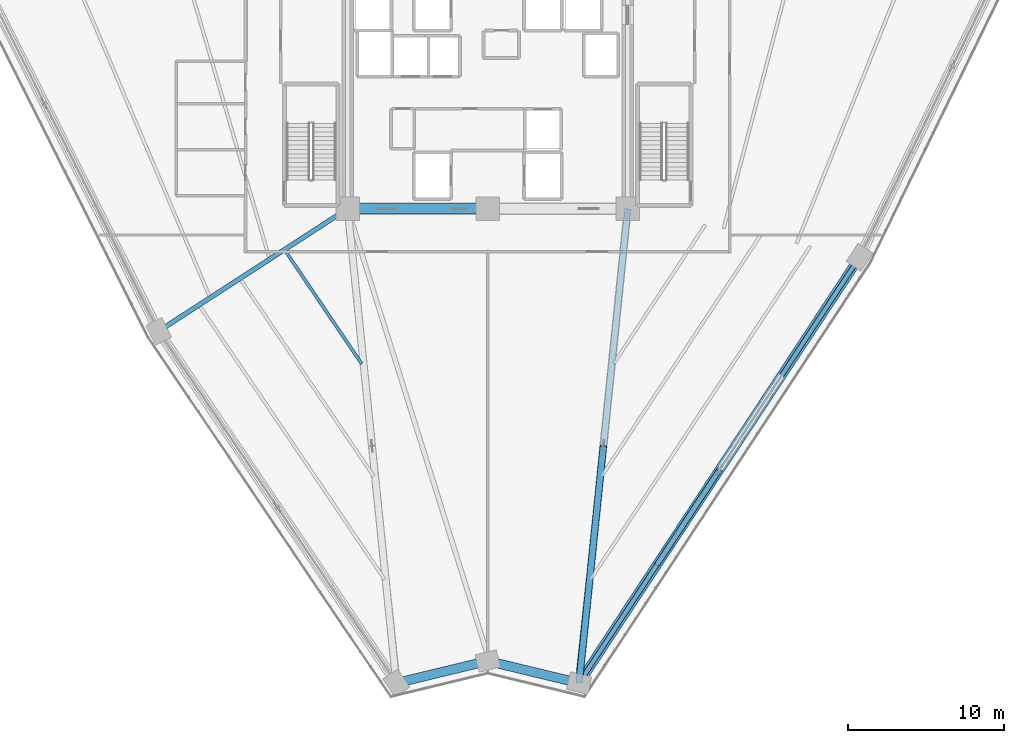
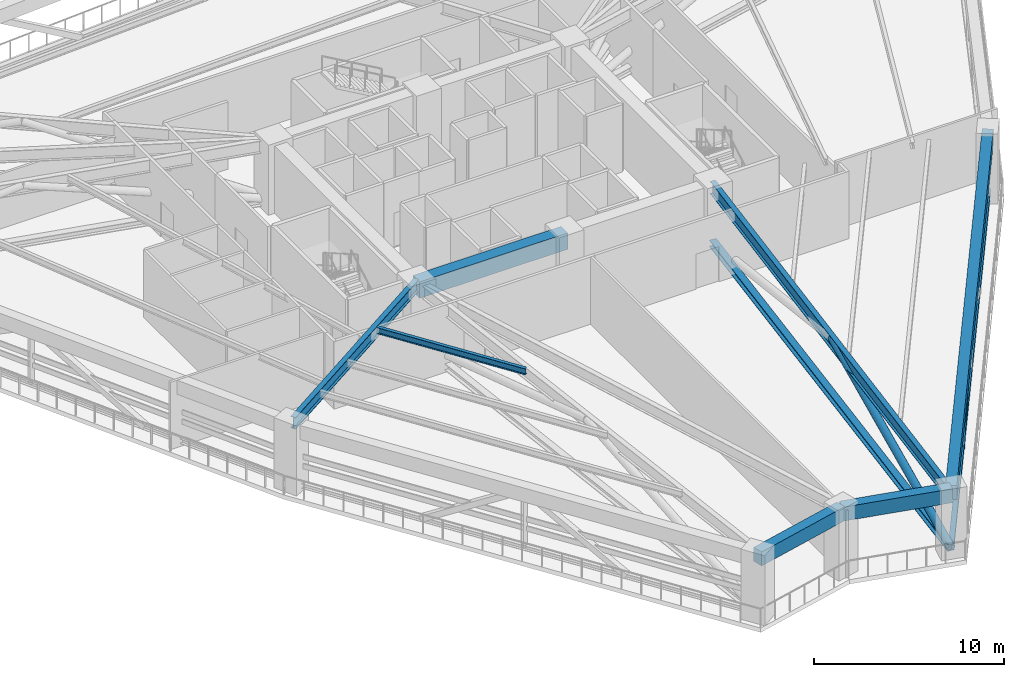
# One storey, part 3 of 23: 7 beams, 4 members.
"""IFC4 building model written with IfcOpenShell, lengths in metres."""

from ifc_helpers import new_model, si_unit, direction, frame, origin, origin_2d, place, context, subcontext, project, spatial, rectangle, hollow_rectangle, hollow_circle, i_section, extrude, source, transform, mapped, material, material_profile, profile_set, type_object, element, save


model = new_model("IFC4")

# Units and contexts
model_context = context("Model", 3, precision=1e-05, world=origin(), true_north=direction((0.0, 1.0)))
body_context = subcontext(model_context, "Body", "Model", "MODEL_VIEW")
ifc_project = project(units=[si_unit("LENGTHUNIT", "METRE"), si_unit("AREAUNIT", "SQUARE_METRE"), si_unit("VOLUMEUNIT", "CUBIC_METRE"), si_unit("PLANEANGLEUNIT", "RADIAN"), si_unit("MASSUNIT", "GRAM", prefix="KILO")], contexts=[model_context])

# Site, building, storey
site_placement = place(None, origin())
site = spatial("IfcSite", under=ifc_project, at=site_placement, CompositionType="ELEMENT")
building_placement = place(site_placement, origin())
building = spatial("IfcBuilding", under=site, at=building_placement, Name="Liaohun Quay Tower", CompositionType="ELEMENT")
storey_placement = place(building_placement, frame((0.0, 0.0, 139.5)))
storey = spatial("IfcBuildingStorey", under=building, at=storey_placement, Name="L36", CompositionType="ELEMENT", Elevation=139.5)

# Beams
ifc_material_1 = material(Name="Concrete C60", Category="concrete")
ifc_material_profile_1 = material_profile(ifc_material_1, rectangle(XDim=0.699951171875, YDim=1.050048828125, at=origin_2d()), Name="RC700x1050")
ifc_profile_set_1 = profile_set([ifc_material_profile_1], Name="Concrete C60")
beam_type_1 = type_object("IfcBeamType", Name="BM-CPL-1", PredefinedType="LINTEL", material=ifc_profile_set_1)
shared_shape_1 = source(origin(), body_context, "Body", "SweptSolid", [
    extrude(rectangle(XDim=0.699951171875, YDim=1.050048828125, at=origin_2d()), origin(), (0.0, 0.0, 1.0), 9.0),
])
beam_1_placement = place(storey_placement, frame((51.0, 46.5, 3.794921875), z_axis=(1.0, 0.0, 0.0), x_axis=(0.0, 1.0, 0.0)))
element("IfcBeam", 1, at=beam_1_placement, inside=storey, type_object=beam_type_1, Name="L36 Core Coupling/Ring Beam CC1-CC2", PredefinedType="LINTEL", context=body_context, shape_type="MappedRepresentation", body=[
    mapped(shared_shape_1, transform((0.0, 0.0, 0.0), x_axis=(1.0, 0.0, 0.0), y_axis=(0.0, 1.0, 0.0), z_axis=(0.0, 0.0, 1.0), scale=1.0)),
])
ifc_material_2 = material(Name="Precast concrete C55", Category="concrete")
ifc_material_profile_2 = material_profile(ifc_material_2, rectangle(XDim=0.60009765625, YDim=0.89990234375, at=origin_2d()), Name="RC600x900")
ifc_profile_set_2 = profile_set([ifc_material_profile_2], Name="Precast concrete C55")
beam_type_2 = type_object("IfcBeamType", Name="BM-SPD-Z2", PredefinedType="SPANDREL", material=ifc_profile_set_2)
shared_shape_2 = source(origin(), body_context, "Body", "SweptSolid", [
    extrude(rectangle(XDim=0.60009765625, YDim=0.89990234375, at=origin_2d()), origin(), (0.0, 0.0, 1.0), 32.76611328125),
])
beam_2_placement = place(storey_placement, frame((83.89501953125, 43.3798828125, 3.8701171875), z_axis=(-0.550107690194, -0.835093724794, 0.0), x_axis=(0.835093724794, -0.550107690194, 0.0)))
element("IfcBeam", 2, at=beam_2_placement, inside=storey, type_object=beam_type_2, Name="L36 Precast Spandrel Beam PC10-PC11", PredefinedType="SPANDREL", context=body_context, shape_type="MappedRepresentation", body=[
    mapped(shared_shape_2, transform((0.0, 0.0, 0.0), x_axis=(1.0, 0.0, 0.0), y_axis=(0.0, 1.0, 0.0), z_axis=(0.0, 0.0, 1.0), scale=1.0)),
])
shared_shape_3 = source(origin(), body_context, "Body", "SweptSolid", [
    extrude(rectangle(XDim=0.60009765625, YDim=0.89990234375, at=origin_2d()), origin(), (0.0, 0.0, 1.0), 6.0458984375),
])
beam_3_placement = place(storey_placement, frame((60.0, 17.43408203125, 3.8701171875), z_axis=(-0.972059018601, -0.234736585042, 0.0), x_axis=(0.234736585042, -0.972059018601, 0.0)))
element("IfcBeam", 3, at=beam_3_placement, inside=storey, type_object=beam_type_2, Name="L36 Precast Spandrel Beam PC12-PC01", PredefinedType="SPANDREL", context=body_context, shape_type="MappedRepresentation", body=[
    mapped(shared_shape_3, transform((0.0, 0.0, 0.0), x_axis=(1.0, 0.0, 0.0), y_axis=(0.0, 1.0, 0.0), z_axis=(0.0, 0.0, 1.0), scale=1.0)),
])
shared_shape_4 = source(origin(), body_context, "Body", "SweptSolid", [
    extrude(rectangle(XDim=0.60009765625, YDim=0.89990234375, at=origin_2d()), origin(), (0.0, 0.0, 1.0), 6.038818359375),
])
beam_4_placement = place(storey_placement, frame((65.8701171875, 16.01708984375, 3.8701171875), z_axis=(-0.972079664656, 0.234651071938, 0.0), x_axis=(-0.234651071938, -0.972079664656, 0.0)))
element("IfcBeam", 4, at=beam_4_placement, inside=storey, type_object=beam_type_2, Name="L36 Precast Spandrel Beam PC11-PC12", PredefinedType="SPANDREL", context=body_context, shape_type="MappedRepresentation", body=[
    mapped(shared_shape_4, transform((0.0, 0.0, 0.0), x_axis=(1.0, 0.0, 0.0), y_axis=(0.0, 1.0, 0.0), z_axis=(0.0, 0.0, 1.0), scale=1.0)),
])
ifc_material_3 = material(Name="Steel Q355D", Category="steel")
ifc_material_profile_3 = material_profile(ifc_material_3, i_section(OverallWidth=0.300048828125, OverallDepth=0.75, WebThickness=0.013916015625, FlangeThickness=0.02587890625, at=origin_2d()), Name="HN750x300x14x26")
ifc_profile_set_3 = profile_set([ifc_material_profile_3], Name="Steel Q355D")
beam_type_3 = type_object("IfcBeamType", Name="BM-RAD-M2", PredefinedType="BEAM", material=ifc_profile_set_3)
shared_shape_5 = source(origin(), body_context, "Body", "SweptSolid", [
    extrude(i_section(OverallWidth=0.300048828125, OverallDepth=0.75, WebThickness=0.013916015625, FlangeThickness=0.02587890625, at=origin_2d()), origin(), (0.0, 0.0, 1.0), 14.229248046875),
])
beam_5_placement = place(storey_placement, frame((51.0, 46.5, 3.945068359375), z_axis=(-0.839338995865, -0.543608360882, 0.0), x_axis=(0.543608360882, -0.839338995865, 0.0)))
element("IfcBeam", 5, at=beam_5_placement, inside=storey, type_object=beam_type_3, Name="L36 Radial Primary Girder CC1-PC02", PredefinedType="BEAM", context=body_context, shape_type="MappedRepresentation", body=[
    mapped(shared_shape_5, transform((0.0, 0.0, 0.0), x_axis=(1.0, 0.0, 0.0), y_axis=(0.0, 1.0, 0.0), z_axis=(0.0, 0.0, 1.0), scale=1.0)),
])
ifc_material_profile_4 = material_profile(ifc_material_3, i_section(OverallWidth=0.300048828125, OverallDepth=0.800048828125, WebThickness=0.013916015625, FlangeThickness=0.02587890625, at=origin_2d()), Name="HN800x300x14x26")
ifc_profile_set_4 = profile_set([ifc_material_profile_4], Name="Steel Q355D")
beam_type_4 = type_object("IfcBeamType", Name="BM-RAD-M1", PredefinedType="BEAM", material=ifc_profile_set_4)
shared_shape_6 = source(origin(), body_context, "Body", "SweptSolid", [
    extrude(i_section(OverallWidth=0.300048828125, OverallDepth=0.800048828125, WebThickness=0.013916015625, FlangeThickness=0.02587890625, at=origin_2d()), origin(), (0.0, 0.0, 1.0), 30.269775390625),
])
beam_6_placement = place(storey_placement, frame((69.0, 46.5, 3.919921875), z_axis=(-0.105448034991, -0.994424814612, 0.0), x_axis=(0.994424814612, -0.105448034991, 0.0)))
element("IfcBeam", 6, at=beam_6_placement, inside=storey, type_object=beam_type_4, Name="L36 Radial Primary Girder CC3-PC11", PredefinedType="BEAM", context=body_context, shape_type="MappedRepresentation", body=[
    mapped(shared_shape_6, transform((0.0, 0.0, 0.0), x_axis=(1.0, 0.0, 0.0), y_axis=(0.0, 1.0, 0.0), z_axis=(0.0, 0.0, 1.0), scale=1.0)),
])
ifc_material_profile_5 = material_profile(ifc_material_3, i_section(OverallWidth=0.199951171875, OverallDepth=0.39990234375, WebThickness=0.008056640625, FlangeThickness=0.012939453125, at=origin_2d()), Name="HN400x200x8x13")
ifc_profile_set_5 = profile_set([ifc_material_profile_5], Name="Steel Q355D")
beam_type_5 = type_object("IfcBeamType", Name="BM-SEC-J2", PredefinedType="JOIST", material=ifc_profile_set_5)
shared_shape_7 = source(origin(), body_context, "Body", "SweptSolid", [
    extrude(i_section(OverallWidth=0.199951171875, OverallDepth=0.39990234375, WebThickness=0.008056640625, FlangeThickness=0.012939453125, at=origin_2d()), origin(), (0.0, 0.0, 1.0), 8.7119140625),
])
beam_7_placement = place(storey_placement, frame((51.904052734375, 36.530029296875, 4.1201171875), z_axis=(-0.560281659496, 0.828302156241, 0.0), x_axis=(-0.828302156241, -0.560281659496, 0.0)))
element("IfcBeam", 7, at=beam_7_placement, inside=storey, type_object=beam_type_5, Name="L36 Wing Secondary Floor Joist SJ-01", PredefinedType="JOIST", context=body_context, shape_type="MappedRepresentation", body=[
    mapped(shared_shape_7, transform((0.0, 0.0, 0.0), x_axis=(1.0, 0.0, 0.0), y_axis=(0.0, 1.0, 0.0), z_axis=(0.0, 0.0, 1.0), scale=1.0)),
])

# Members
ifc_material_4 = material(Name="Steel Q420D", Category="steel")
ifc_material_profile_6 = material_profile(ifc_material_4, i_section(OverallWidth=0.405029296875, OverallDepth=0.4140625, WebThickness=0.01806640625, FlangeThickness=0.028076171875, at=origin_2d()), Name="HW414x405x18x28")
ifc_profile_set_6 = profile_set([ifc_material_profile_6], Name="Steel Q420D")
member_type_1 = type_object("IfcMemberType", Name="MEM-OUT-CHD", PredefinedType="CHORD", material=ifc_profile_set_6)
shared_shape_8 = source(origin(), body_context, "Body", "SweptSolid", [
    extrude(i_section(OverallWidth=0.405029296875, OverallDepth=0.4140625, WebThickness=0.01806640625, FlangeThickness=0.028076171875, at=origin_2d()), origin(), (0.0, 0.0, 1.0), 30.64306640625),
])
member_1_placement = place(storey_placement, frame((69.0, 46.5, 0.35009765625), z_axis=(-0.102139649017, -0.994770069965, 0.0), x_axis=(0.994770069965, -0.102139649017, 0.0)))
element("IfcMember", 8, at=member_1_placement, inside=storey, type_object=member_type_1, Name="L36 Outrigger Bottom Chord OC-06", PredefinedType="CHORD", context=body_context, shape_type="MappedRepresentation", body=[
    mapped(shared_shape_8, transform((0.0, 0.0, 0.0), x_axis=(1.0, 0.0, 0.0), y_axis=(0.0, 1.0, 0.0), z_axis=(0.0, 0.0, 1.0), scale=1.0)),
])
ifc_material_profile_7 = material_profile(ifc_material_4, hollow_circle(Radius=0.228515625, WallThickness=0.02001953125, at=origin_2d()), Name="CHS457x20")
ifc_profile_set_7 = profile_set([ifc_material_profile_7], Name="Steel Q420D")
member_type_2 = type_object("IfcMemberType", Name="MEM-OUT-DG1", PredefinedType="BRACE", material=ifc_profile_set_7)
shared_shape_9 = source(origin(), body_context, "Body", "SweptSolid", [
    extrude(hollow_circle(Radius=0.228515625, WallThickness=0.02001953125, at=origin_2d()), origin(), (0.0, 0.0, 1.0), 15.75439453125),
])
member_2_placement = place(storey_placement, frame((67.43505859375, 31.258056640625, 4.02001953125), z_axis=(-0.099332944893, -0.967403705283, -0.232944278883), x_axis=(0.994769737477, -0.102142887168, 0.0)))
element("IfcMember", 9, at=member_2_placement, inside=storey, type_object=member_type_2, Name="L36 Outrigger Diagonal OD-06B", PredefinedType="BRACE", context=body_context, shape_type="MappedRepresentation", body=[
    mapped(shared_shape_9, transform((0.0, 0.0, 0.0), x_axis=(1.0, 0.0, 0.0), y_axis=(0.0, 1.0, 0.0), z_axis=(0.0, 0.0, 1.0), scale=1.0)),
])
ifc_material_profile_8 = material_profile(ifc_material_3, i_section(OverallWidth=0.300048828125, OverallDepth=0.300048828125, WebThickness=0.010009765625, FlangeThickness=0.014892578125, at=origin_2d()), Name="HW300x300x10x15")
ifc_profile_set_8 = profile_set([ifc_material_profile_8], Name="Steel Q355D")
member_type_3 = type_object("IfcMemberType", Name="MEM-BLT-CHD", PredefinedType="CHORD", material=ifc_profile_set_8)
shared_shape_10 = source(origin(), body_context, "Body", "SweptSolid", [
    extrude(i_section(OverallWidth=0.300048828125, OverallDepth=0.300048828125, WebThickness=0.010009765625, FlangeThickness=0.014892578125, at=origin_2d()), origin(), (0.0, 0.0, 1.0), 32.76611328125),
])
member_3_placement = place(storey_placement, frame((83.89501953125, 43.3798828125, 0.35009765625), z_axis=(-0.550107690194, -0.835093724794, 0.0), x_axis=(0.835093724794, -0.550107690194, 0.0)))
element("IfcMember", 10, at=member_3_placement, inside=storey, type_object=member_type_3, Name="L36 Belt Truss Bottom Chord BC-1-06", PredefinedType="CHORD", context=body_context, shape_type="MappedRepresentation", body=[
    mapped(shared_shape_10, transform((0.0, 0.0, 0.0), x_axis=(1.0, 0.0, 0.0), y_axis=(0.0, 1.0, 0.0), z_axis=(0.0, 0.0, 1.0), scale=1.0)),
])
ifc_material_profile_9 = material_profile(ifc_material_3, hollow_rectangle(XDim=0.35009765625, YDim=0.35009765625, WallThickness=0.01611328125, at=origin_2d()), Name="SHS350x350x16")
ifc_profile_set_9 = profile_set([ifc_material_profile_9], Name="Steel Q355D")
member_type_4 = type_object("IfcMemberType", Name="MEM-BLT-DG2", PredefinedType="BRACE", material=ifc_profile_set_9)
shared_shape_11 = source(origin(), body_context, "Body", "SweptSolid", [
    extrude(hollow_rectangle(XDim=0.35009765625, YDim=0.35009765625, WallThickness=0.01611328125, at=origin_2d()), origin(), (0.0, 0.0, 1.0), 8.0888671875),
])
member_4_placement = place(storey_placement, frame((74.882080078125, 29.698974609375, 4.02001953125), z_axis=(-0.490186589236, -0.744228860131, -0.4536964971), x_axis=(0.835127226752, -0.550056829008, 0.0)))
element("IfcMember", 11, at=member_4_placement, inside=storey, type_object=member_type_4, Name="L36 Belt Truss Diagonal BD-06B", PredefinedType="BRACE", context=body_context, shape_type="MappedRepresentation", body=[
    mapped(shared_shape_11, transform((0.0, 0.0, 0.0), x_axis=(1.0, 0.0, 0.0), y_axis=(0.0, 1.0, 0.0), z_axis=(0.0, 0.0, 1.0), scale=1.0)),
])

save(model, "model.ifc")
